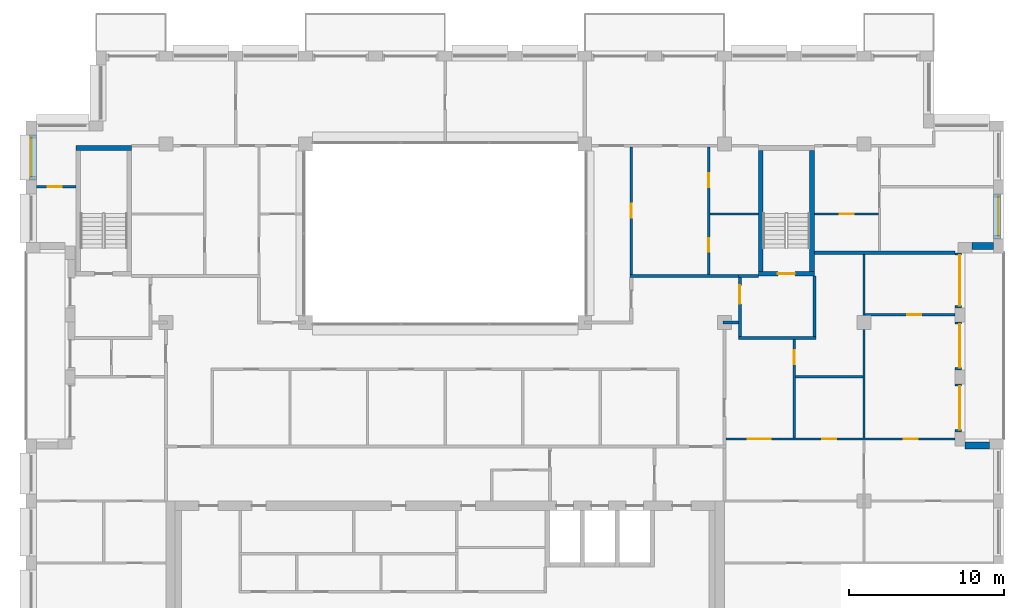
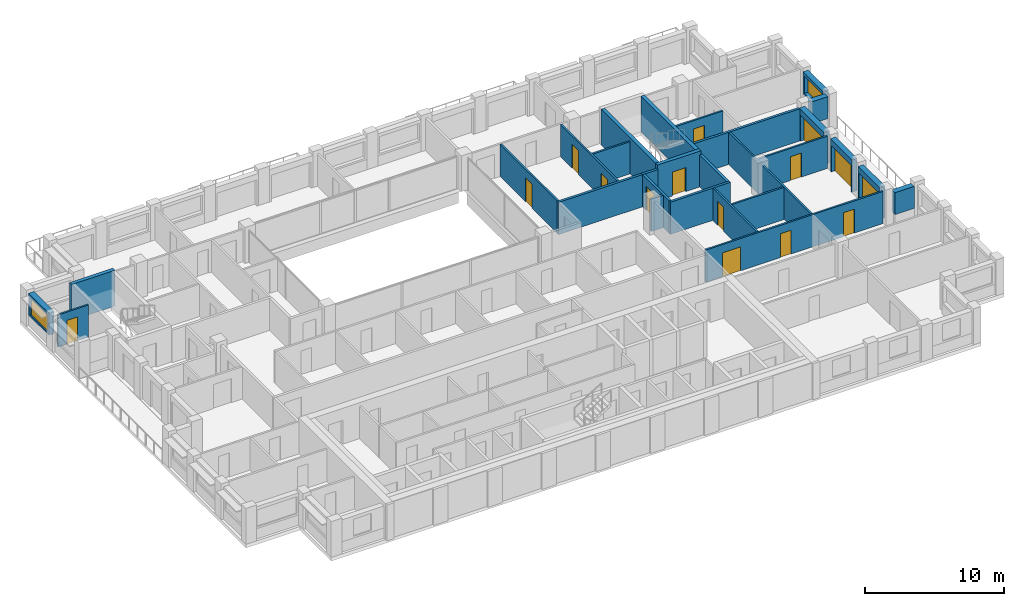
# One storey, part 12 of 15: 28 walls, 15 doors, 2 windows, 17 openings.
"""IFC4 building model written with IfcOpenShell, lengths in metres."""

from ifc_helpers import new_model, si_unit, direction, frame, frame_2d, origin, place, context, subcontext, project, spatial, rectangle, extrude, material, layer, layer_set, type_object, element, fill, save


model = new_model("IFC4")

# Units and contexts
model_context = context("Model", 3, precision=1e-05, world=origin(), true_north=direction((0.0, 1.0)))
body_context = subcontext(model_context, "Body", "Model", "MODEL_VIEW")
ifc_project = project(units=[si_unit("LENGTHUNIT", "METRE"), si_unit("AREAUNIT", "SQUARE_METRE"), si_unit("VOLUMEUNIT", "CUBIC_METRE"), si_unit("PLANEANGLEUNIT", "RADIAN"), si_unit("MASSUNIT", "GRAM", prefix="KILO")], contexts=[model_context])

# Site, building, storey
site_placement = place(None, origin())
site = spatial("IfcSite", under=ifc_project, at=site_placement, CompositionType="ELEMENT")
building_placement = place(site_placement, origin())
building = spatial("IfcBuilding", under=site, at=building_placement, Name="Brigalow Station Residences", CompositionType="ELEMENT")
storey_placement = place(building_placement, frame((0.0, 0.0, 213.75)))
storey = spatial("IfcBuildingStorey", under=building, at=storey_placement, Name="L61", CompositionType="ELEMENT", Elevation=213.75)

# Wall
ifc_material_1 = material(Name="Clay brick masonry", Category="masonry")
ifc_layer_1 = layer(ifc_material_1, 0.449951171875)
ifc_layer_set_1 = layer_set([ifc_layer_1], Name="BRICK INFILL WALL 450")
wall_type_1 = type_object("IfcWallType", Name="BRICK INFILL WALL 450", PredefinedType="SOLIDWALL", material=ifc_layer_set_1)
wall_1_placement = place(storey_placement, frame((71.10009765625, 16.074951171875, 0.89990234375), z_axis=(0.0, 0.0, 1.0), x_axis=(-1.0, 0.0, 0.0)))
element("IfcWall", 1, at=wall_1_placement, inside=storey, type_object=wall_type_1, Name="L61/ewall/W-L61-11", PredefinedType="SOLIDWALL", context=body_context, shape_type="SweptSolid", body=[
    extrude(rectangle(XDim=1.60009765625, YDim=0.449951171875, at=frame_2d((0.800048828125, 0.0))), origin(), (0.0, 0.0, 1.0), 1.93017578125),
])

# Wall, opening, door
wall_2_placement = place(storey_placement, frame((69.074951171875, 16.949951171875, 0.0), z_axis=(0.0, 0.0, 1.0), x_axis=(0.0, 1.0, 0.0)))
wall_2 = element("IfcWall", 2, at=wall_2_placement, inside=storey, type_object=wall_type_1, Name="L61/ewall/W-L61-12", PredefinedType="SOLIDWALL", context=body_context, shape_type="SweptSolid", body=[
    extrude(rectangle(XDim=3.10009765625, YDim=0.449951171875, at=frame_2d((1.550048828125, 0.0))), origin(), (0.0, 0.0, 1.0), 2.830078125),
])
opening_1_placement = place(wall_2_placement, frame((0.14990234375, 0.0, 0.0)))
opening_1 = element("IfcOpeningElement", 3, at=opening_1_placement, cuts=wall_2, Name="Opening D-B2800", PredefinedType="OPENING", context=body_context, shape_type="SweptSolid", body=[
    extrude(rectangle(XDim=2.800048828125, YDim=2.300048828125, at=frame_2d((1.39990234375, 1.14990234375))), frame((0.0, 0.23486328125, 0.0), z_axis=(0.0, -1.0, 0.0), x_axis=(1.0, 0.0, 0.0)), (0.0, 0.0, 1.0), 0.469970703125),
])
ifc_material_2 = material(Name="Anodised aluminium frame with double glazing", Category="aluminium")
door_type_1 = type_object("IfcDoorType", Name="BALCONY SLIDING DOOR 2800x2300", OperationType="SLIDING_TO_LEFT", PredefinedType="DOOR", material=ifc_material_2)
door_1_placement = place(opening_1_placement, origin())
door_1 = element("IfcDoor", 4, at=door_1_placement, inside=storey, type_object=door_type_1, Name="L61/balcony-door/W-L61-12", OperationType="SLIDING_TO_LEFT", OverallHeight=2.300048828125, OverallWidth=2.800048828125, PredefinedType="DOOR", context=body_context, shape_type="SweptSolid", body=[
    extrude(rectangle(XDim=2.800048828125, YDim=2.300048828125, at=frame_2d((1.39990234375, 1.14990234375))), frame((0.0, -0.06982421875, 0.0), z_axis=(0.0, -1.0, 0.0), x_axis=(1.0, 0.0, 0.0)), (0.0, 0.0, 1.0), 0.050048828125),
])
fill(opening_1, door_1)

wall_3_placement = place(storey_placement, frame((69.074951171875, 20.949951171875, 0.0), z_axis=(0.0, 0.0, 1.0), x_axis=(0.0, 1.0, 0.0)))
wall_3 = element("IfcWall", 5, at=wall_3_placement, inside=storey, type_object=wall_type_1, Name="L61/ewall/W-L61-13", PredefinedType="SOLIDWALL", context=body_context, shape_type="SweptSolid", body=[
    extrude(rectangle(XDim=3.10009765625, YDim=0.449951171875, at=frame_2d((1.550048828125, 0.0))), origin(), (0.0, 0.0, 1.0), 2.830078125),
])
opening_2_placement = place(wall_3_placement, frame((0.14990234375, 0.0, 0.0)))
opening_2 = element("IfcOpeningElement", 6, at=opening_2_placement, cuts=wall_3, Name="Opening D-B2800", PredefinedType="OPENING", context=body_context, shape_type="SweptSolid", body=[
    extrude(rectangle(XDim=2.800048828125, YDim=2.300048828125, at=frame_2d((1.39990234375, 1.14990234375))), frame((0.0, 0.23486328125, 0.0), z_axis=(0.0, -1.0, 0.0), x_axis=(1.0, 0.0, 0.0)), (0.0, 0.0, 1.0), 0.469970703125),
])
door_2_placement = place(opening_2_placement, origin())
door_2 = element("IfcDoor", 7, at=door_2_placement, inside=storey, type_object=door_type_1, Name="L61/balcony-door/W-L61-13", OperationType="SLIDING_TO_LEFT", OverallHeight=2.300048828125, OverallWidth=2.800048828125, PredefinedType="DOOR", context=body_context, shape_type="SweptSolid", body=[
    extrude(rectangle(XDim=2.800048828125, YDim=2.300048828125, at=frame_2d((1.39990234375, 1.14990234375))), frame((0.0, -0.06982421875, 0.0), z_axis=(0.0, -1.0, 0.0), x_axis=(1.0, 0.0, 0.0)), (0.0, 0.0, 1.0), 0.050048828125),
])
fill(opening_2, door_2)

wall_4_placement = place(storey_placement, frame((69.074951171875, 24.949951171875, 0.0), z_axis=(0.0, 0.0, 1.0), x_axis=(0.0, 1.0, 0.0)))
wall_4 = element("IfcWall", 8, at=wall_4_placement, inside=storey, type_object=wall_type_1, Name="L61/ewall/W-L61-14", PredefinedType="SOLIDWALL", context=body_context, shape_type="SweptSolid", body=[
    extrude(rectangle(XDim=3.550048828125, YDim=0.449951171875, at=frame_2d((1.77490234375, 0.0))), origin(), (0.0, 0.0, 1.0), 2.830078125),
])
opening_3_placement = place(wall_4_placement, frame((0.14990234375, 0.0, 0.0)))
opening_3 = element("IfcOpeningElement", 9, at=opening_3_placement, cuts=wall_4, Name="Opening D-B3250", PredefinedType="OPENING", context=body_context, shape_type="SweptSolid", body=[
    extrude(rectangle(XDim=3.25, YDim=2.300048828125, at=frame_2d((1.625, 1.14990234375))), frame((0.0, 0.23486328125, 0.0), z_axis=(0.0, -1.0, 0.0), x_axis=(1.0, 0.0, 0.0)), (0.0, 0.0, 1.0), 0.469970703125),
])
ifc_material_3 = material(Name="Anodised aluminium frame with double glazing", Category="aluminium")
door_type_2 = type_object("IfcDoorType", Name="BALCONY SLIDING DOOR 3250x2300", OperationType="SLIDING_TO_LEFT", PredefinedType="DOOR", material=ifc_material_3)
door_3_placement = place(opening_3_placement, origin())
door_3 = element("IfcDoor", 10, at=door_3_placement, inside=storey, type_object=door_type_2, Name="L61/balcony-door/W-L61-14", OperationType="SLIDING_TO_LEFT", OverallHeight=2.300048828125, OverallWidth=3.25, PredefinedType="DOOR", context=body_context, shape_type="SweptSolid", body=[
    extrude(rectangle(XDim=3.25, YDim=2.300048828125, at=frame_2d((1.625, 1.14990234375))), frame((0.0, -0.06982421875, 0.0), z_axis=(0.0, -1.0, 0.0), x_axis=(1.0, 0.0, 0.0)), (0.0, 0.0, 1.0), 0.050048828125),
])
fill(opening_3, door_3)

# Wall
wall_5_placement = place(storey_placement, frame((69.949951171875, 28.925048828125, 0.89990234375), z_axis=(0.0, 0.0, 1.0), x_axis=(1.0, 0.0, 0.0)))
element("IfcWall", 11, at=wall_5_placement, inside=storey, type_object=wall_type_1, Name="L61/ewall/W-L61-15", PredefinedType="SOLIDWALL", context=body_context, shape_type="SweptSolid", body=[
    extrude(rectangle(XDim=1.400146484375, YDim=0.449951171875, at=frame_2d((0.7001953125, 0.0))), origin(), (0.0, 0.0, 1.0), 1.93017578125),
])

# Wall, opening, window
wall_6_placement = place(storey_placement, frame((71.574951171875, 29.39990234375, 0.89990234375), z_axis=(0.0, 0.0, 1.0), x_axis=(0.0, 1.0, 0.0)))
wall_6 = element("IfcWall", 12, at=wall_6_placement, inside=storey, type_object=wall_type_1, Name="L61/ewall/W-L61-16", PredefinedType="SOLIDWALL", context=body_context, shape_type="SweptSolid", body=[
    extrude(rectangle(XDim=2.900146484375, YDim=0.449951171875, at=frame_2d((1.4501953125, 0.0))), origin(), (0.0, 0.0, 1.0), 1.93017578125),
])
opening_4_placement = place(wall_6_placement, frame((0.199951171875, 0.0, 0.14990234375)))
opening_4 = element("IfcOpeningElement", 13, at=opening_4_placement, cuts=wall_6, Name="Opening WT-5", PredefinedType="OPENING", context=body_context, shape_type="SweptSolid", body=[
    extrude(rectangle(XDim=2.5, YDim=1.5, at=frame_2d((1.25, 0.75))), frame((0.0, 0.23486328125, 0.0), z_axis=(0.0, -1.0, 0.0), x_axis=(1.0, 0.0, 0.0)), (0.0, 0.0, 1.0), 0.469970703125),
])
ifc_material_4 = material(Name="Anodised aluminium frame with double glazing", Category="aluminium")
window_type = type_object("IfcWindowType", Name="WINDOW 2500x1500", PartitioningType="SINGLE_PANEL", PredefinedType="WINDOW", material=ifc_material_4)
window_1_placement = place(opening_4_placement, origin())
window_1 = element("IfcWindow", 14, at=window_1_placement, inside=storey, type_object=window_type, Name="L61/window/W-L61-16", OverallHeight=1.5, OverallWidth=2.5, PartitioningType="SINGLE_PANEL", PredefinedType="WINDOW", context=body_context, shape_type="SweptSolid", body=[
    extrude(rectangle(XDim=2.5, YDim=1.5, at=frame_2d((1.25, 0.75))), frame((0.0, -0.06494140625, 0.0), z_axis=(0.0, -1.0, 0.0), x_axis=(1.0, 0.0, 0.0)), (0.0, 0.0, 1.0), 0.06005859375),
])
fill(opening_4, window_1)

wall_7_placement = place(storey_placement, frame((9.425048828125, 36.10009765625, 0.89990234375), z_axis=(0.0, 0.0, 1.0), x_axis=(0.0, -1.0, 0.0)))
wall_7 = element("IfcWall", 15, at=wall_7_placement, inside=storey, type_object=wall_type_1, Name="L61/ewall/W-L61-34", PredefinedType="SOLIDWALL", context=body_context, shape_type="SweptSolid", body=[
    extrude(rectangle(XDim=2.900146484375, YDim=0.449951171875, at=frame_2d((1.4501953125, 0.0))), origin(), (0.0, 0.0, 1.0), 1.93017578125),
])
opening_5_placement = place(wall_7_placement, frame((0.199951171875, 0.0, 0.14990234375)))
opening_5 = element("IfcOpeningElement", 16, at=opening_5_placement, cuts=wall_7, Name="Opening WT-5", PredefinedType="OPENING", context=body_context, shape_type="SweptSolid", body=[
    extrude(rectangle(XDim=2.5, YDim=1.5, at=frame_2d((1.25, 0.75))), frame((0.0, 0.23486328125, 0.0), z_axis=(0.0, -1.0, 0.0), x_axis=(1.0, 0.0, 0.0)), (0.0, 0.0, 1.0), 0.469970703125),
])
window_2_placement = place(opening_5_placement, origin())
window_2 = element("IfcWindow", 17, at=window_2_placement, inside=storey, type_object=window_type, Name="L61/window/W-L61-34", OverallHeight=1.5, OverallWidth=2.5, PartitioningType="SINGLE_PANEL", PredefinedType="WINDOW", context=body_context, shape_type="SweptSolid", body=[
    extrude(rectangle(XDim=2.5, YDim=1.5, at=frame_2d((1.25, 0.75))), frame((0.0, -0.06494140625, 0.0), z_axis=(0.0, -1.0, 0.0), x_axis=(1.0, 0.0, 0.0)), (0.0, 0.0, 1.0), 0.06005859375),
])
fill(opening_5, window_2)

# Wall
ifc_material_5 = material(Name="Concrete C50", Category="concrete")
ifc_layer_2 = layer(ifc_material_5, 0.300048828125)
ifc_layer_set_2 = layer_set([ifc_layer_2], Name="CORE SHEAR WALL 300 C50")
wall_type_2 = type_object("IfcWallType", Name="CORE SHEAR WALL 300 C50", PredefinedType="SHEAR", material=ifc_layer_set_2)
wall_8_placement = place(storey_placement, frame((12.199951171875, 35.25, 0.0), z_axis=(0.0, 0.0, 1.0), x_axis=(1.0, 0.0, 0.0)))
element("IfcWall", 18, at=wall_8_placement, inside=storey, type_object=wall_type_2, Name="CORE WALL ST-S1-N L61", PredefinedType="SHEAR", context=body_context, shape_type="SweptSolid", body=[
    extrude(rectangle(XDim=3.60009765625, YDim=0.300048828125, at=frame_2d((1.800048828125, 0.0))), origin(), (0.0, 0.0, 1.0), 3.14990234375),
])

# Wall, opening, door
wall_9_placement = place(storey_placement, frame((56.199951171875, 27.14990234375, 0.0), z_axis=(0.0, 0.0, 1.0), x_axis=(1.0, 0.0, 0.0)))
wall_9 = element("IfcWall", 19, at=wall_9_placement, inside=storey, type_object=wall_type_2, Name="CORE WALL ST-S3-S L61", PredefinedType="SHEAR", context=body_context, shape_type="SweptSolid", body=[
    extrude(rectangle(XDim=3.60009765625, YDim=0.300048828125, at=frame_2d((1.800048828125, 0.0))), origin(), (0.0, 0.0, 1.0), 3.14990234375),
])
opening_6_placement = place(wall_9_placement, frame((1.25, 0.0, 0.0)))
opening_6 = element("IfcOpeningElement", 20, at=opening_6_placement, cuts=wall_9, Name="Opening D-5018", PredefinedType="OPENING", context=body_context, shape_type="SweptSolid", body=[
    extrude(rectangle(XDim=1.10009765625, YDim=2.10009765625, at=frame_2d((0.550048828125, 1.050048828125))), frame((0.0, 0.16015625, 0.0), z_axis=(0.0, -1.0, 0.0), x_axis=(1.0, 0.0, 0.0)), (0.0, 0.0, 1.0), 0.320068359375),
])
ifc_material_6 = material(Name="Steel fire door leaf in steel frame", Category="steel")
door_type_3 = type_object("IfcDoorType", Name="STAIR DOOR 1100 x 2100 FD60S", OperationType="SINGLE_SWING_LEFT", PredefinedType="DOOR", material=ifc_material_6)
door_4_placement = place(opening_6_placement, origin())
door_4 = element("IfcDoor", 21, at=door_4_placement, inside=storey, type_object=door_type_3, Name="D-5018", OperationType="SINGLE_SWING_LEFT", OverallHeight=2.10009765625, OverallWidth=1.10009765625, PredefinedType="DOOR", context=body_context, shape_type="SweptSolid", body=[
    extrude(rectangle(XDim=1.10009765625, YDim=2.10009765625, at=frame_2d((0.550048828125, 1.050048828125))), frame((0.0, 0.02490234375, 0.0), z_axis=(0.0, -1.0, 0.0), x_axis=(1.0, 0.0, 0.0)), (0.0, 0.0, 1.0), 0.050048828125),
])
fill(opening_6, door_4)

# Walls
for number, where, z_axis, x_axis, name in (
    (22, (56.35009765625, 27.300048828125, 0.0), (0.0, 0.0, 1.0), (0.0, 1.0, 0.0), "CORE WALL ST-S3-W L61"),
    (23, (59.64990234375, 27.300048828125, 0.0), (0.0, 0.0, 1.0), (0.0, 1.0, 0.0), "CORE WALL ST-S3-E L61"),
):
    element("IfcWall", number, at=place(storey_placement, frame(where, z_axis=z_axis, x_axis=x_axis)), inside=storey, type_object=wall_type_2, Name=name, PredefinedType="SHEAR", context=body_context, shape_type="SweptSolid", body=[
        extrude(rectangle(XDim=7.800048828125, YDim=0.300048828125, at=frame_2d((3.89990234375, 0.0))), origin(), (0.0, 0.0, 1.0), 3.14990234375),
    ])
ifc_material_7 = material(Name="Concrete blockwork", Category="masonry")
ifc_layer_3 = layer(ifc_material_7, 0.199951171875)
ifc_layer_set_3 = layer_set([ifc_layer_3], Name="FIRE RATED CORE PARTITION 200")
wall_type_3 = type_object("IfcWallType", Name="FIRE RATED CORE PARTITION 200", PredefinedType="PARTITIONING", material=ifc_layer_set_3)
wall_10_placement = place(storey_placement, frame((54.89990234375, 23.0, 0.0), z_axis=(0.0, 0.0, 1.0), x_axis=(1.0, 0.0, 0.0)))
element("IfcWall", 24, at=wall_10_placement, inside=storey, type_object=wall_type_3, Name="PW-5024", PredefinedType="PARTITIONING", context=body_context, shape_type="SweptSolid", body=[
    extrude(rectangle(XDim=5.0, YDim=0.199951171875, at=frame_2d((2.5, 0.0))), origin(), (0.0, 0.0, 1.0), 2.830078125),
])
wall_11_placement = place(storey_placement, frame((54.89990234375, 27.0, 0.0), z_axis=(0.0, 0.0, 1.0), x_axis=(1.0, 0.0, 0.0)))
element("IfcWall", 25, at=wall_11_placement, inside=storey, type_object=wall_type_3, Name="PW-5026", PredefinedType="PARTITIONING", context=body_context, shape_type="SweptSolid", body=[
    extrude(rectangle(XDim=1.300048828125, YDim=0.199951171875, at=frame_2d((0.64990234375, 0.0))), origin(), (0.0, 0.0, 1.0), 2.830078125),
])

# Wall, opening, door
wall_12_placement = place(storey_placement, frame((55.0, 23.10009765625, 0.0), z_axis=(0.0, 0.0, 1.0), x_axis=(0.0, 1.0, 0.0)))
wall_12 = element("IfcWall", 26, at=wall_12_placement, inside=storey, type_object=wall_type_3, Name="PW-5036", PredefinedType="PARTITIONING", context=body_context, shape_type="SweptSolid", body=[
    extrude(rectangle(XDim=3.7998046875, YDim=0.199951171875, at=frame_2d((1.89990234375, 0.0))), origin(), (0.0, 0.0, 1.0), 2.830078125),
])
opening_7_placement = place(wall_12_placement, frame((2.10009765625, 0.0, 0.0)))
opening_7 = element("IfcOpeningElement", 27, at=opening_7_placement, cuts=wall_12, Name="Opening D-5019", PredefinedType="OPENING", context=body_context, shape_type="SweptSolid", body=[
    extrude(rectangle(XDim=1.199951171875, YDim=2.10009765625, at=frame_2d((0.60009765625, 1.050048828125))), frame((0.0, 0.10986328125, 0.0), z_axis=(0.0, -1.0, 0.0), x_axis=(1.0, 0.0, 0.0)), (0.0, 0.0, 1.0), 0.219970703125),
])
ifc_material_8 = material(Name="Steel fire door leaf in steel frame", Category="steel")
door_type_4 = type_object("IfcDoorType", Name="STAIR LOBBY DOOR 1200 x 2100 FD60S", OperationType="SINGLE_SWING_LEFT", PredefinedType="DOOR", material=ifc_material_8)
door_5_placement = place(opening_7_placement, frame((1.199951171875, 0.0, 0.0), z_axis=(0.0, 0.0, 1.0), x_axis=(-1.0, 0.0, 0.0)))
door_5 = element("IfcDoor", 28, at=door_5_placement, inside=storey, type_object=door_type_4, Name="D-5019", OperationType="SINGLE_SWING_LEFT", OverallHeight=2.10009765625, OverallWidth=1.199951171875, PredefinedType="DOOR", context=body_context, shape_type="SweptSolid", body=[
    extrude(rectangle(XDim=1.199951171875, YDim=2.10009765625, at=frame_2d((0.60009765625, 1.050048828125))), frame((0.0, 0.02490234375, 0.0), z_axis=(0.0, -1.0, 0.0), x_axis=(1.0, 0.0, 0.0)), (0.0, 0.0, 1.0), 0.050048828125),
])
fill(opening_7, door_5)

# Walls
wall_13_placement = place(storey_placement, frame((59.800048828125, 23.10009765625, 0.0), z_axis=(0.0, 0.0, 1.0), x_axis=(0.0, 1.0, 0.0)))
element("IfcWall", 29, at=wall_13_placement, inside=storey, type_object=wall_type_3, Name="PW-5037", PredefinedType="PARTITIONING", context=body_context, shape_type="SweptSolid", body=[
    extrude(rectangle(XDim=3.89990234375, YDim=0.199951171875, at=frame_2d((1.949951171875, 0.0))), origin(), (0.0, 0.0, 1.0), 2.830078125),
])
ifc_material_9 = material(Name="Plasterboard on steel stud partition", Category="steel")
ifc_layer_4 = layer(ifc_material_9, 0.14990234375)
ifc_layer_set_4 = layer_set([ifc_layer_4], Name="FLAT PARTITION 150")
wall_type_4 = type_object("IfcWallType", Name="FLAT PARTITION 150", PredefinedType="PARTITIONING", material=ifc_layer_set_4)
wall_14_placement = place(storey_placement, frame((58.574951171875, 20.5, 0.0), z_axis=(0.0, 0.0, 1.0), x_axis=(1.0, 0.0, 0.0)))
element("IfcWall", 30, at=wall_14_placement, inside=storey, type_object=wall_type_4, Name="PW-4B09", PredefinedType="PARTITIONING", context=body_context, shape_type="SweptSolid", body=[
    extrude(rectangle(XDim=4.35009765625, YDim=0.14990234375, at=frame_2d((2.175048828125, 0.0))), origin(), (0.0, 0.0, 1.0), 2.830078125),
])
wall_15_placement = place(storey_placement, frame((53.074951171875, 31.0, 0.0), z_axis=(0.0, 0.0, 1.0), x_axis=(1.0, 0.0, 0.0)))
element("IfcWall", 31, at=wall_15_placement, inside=storey, type_object=wall_type_4, Name="PW-4B17", PredefinedType="PARTITIONING", context=body_context, shape_type="SweptSolid", body=[
    extrude(rectangle(XDim=3.125, YDim=0.14990234375, at=frame_2d((1.5625, 0.0))), origin(), (0.0, 0.0, 1.0), 2.830078125),
])

# Wall, opening, door
wall_16_placement = place(storey_placement, frame((59.800048828125, 31.0, 0.0), z_axis=(0.0, 0.0, 1.0), x_axis=(1.0, 0.0, 0.0)))
wall_16 = element("IfcWall", 32, at=wall_16_placement, inside=storey, type_object=wall_type_4, Name="PW-4B18", PredefinedType="PARTITIONING", context=body_context, shape_type="SweptSolid", body=[
    extrude(rectangle(XDim=4.125, YDim=0.14990234375, at=frame_2d((2.0625, 0.0))), origin(), (0.0, 0.0, 1.0), 2.830078125),
])
opening_8_placement = place(wall_16_placement, frame((1.64990234375, 0.0, 0.0)))
opening_8 = element("IfcOpeningElement", 33, at=opening_8_placement, cuts=wall_16, Name="Opening D-4B30", PredefinedType="OPENING", context=body_context, shape_type="SweptSolid", body=[
    extrude(rectangle(XDim=0.89990234375, YDim=2.10009765625, at=frame_2d((0.449951171875, 1.050048828125))), frame((0.0, 0.0849609375, 0.0), z_axis=(0.0, -1.0, 0.0), x_axis=(1.0, 0.0, 0.0)), (0.0, 0.0, 1.0), 0.169921875),
])
ifc_material_10 = material(Name="Solid-core timber door leaf", Category="wood")
door_type_5 = type_object("IfcDoorType", Name="INTERNAL DOOR 900 x 2100", OperationType="SINGLE_SWING_LEFT", PredefinedType="DOOR", material=ifc_material_10)
door_6_placement = place(opening_8_placement, frame((0.89990234375, 0.0, 0.0), z_axis=(0.0, 0.0, 1.0), x_axis=(-1.0, 0.0, 0.0)))
door_6 = element("IfcDoor", 34, at=door_6_placement, inside=storey, type_object=door_type_5, Name="D-4B30", OperationType="SINGLE_SWING_LEFT", OverallHeight=2.10009765625, OverallWidth=0.89990234375, PredefinedType="DOOR", context=body_context, shape_type="SweptSolid", body=[
    extrude(rectangle(XDim=0.89990234375, YDim=2.10009765625, at=frame_2d((0.449951171875, 1.050048828125))), frame((0.0, 0.02490234375, 0.0), z_axis=(0.0, -1.0, 0.0), x_axis=(1.0, 0.0, 0.0)), (0.0, 0.0, 1.0), 0.050048828125),
])
fill(opening_8, door_6)

wall_17_placement = place(storey_placement, frame((9.64990234375, 32.75, 0.0), z_axis=(0.0, 0.0, 1.0), x_axis=(1.0, 0.0, 0.0)))
wall_17 = element("IfcWall", 35, at=wall_17_placement, inside=storey, type_object=wall_type_4, Name="PW-4B22", PredefinedType="PARTITIONING", context=body_context, shape_type="SweptSolid", body=[
    extrude(rectangle(XDim=2.550048828125, YDim=0.14990234375, at=frame_2d((1.27490234375, 0.0))), origin(), (0.0, 0.0, 1.0), 2.830078125),
])
opening_9_placement = place(wall_17_placement, frame((0.75, 0.0, 0.0)))
opening_9 = element("IfcOpeningElement", 36, at=opening_9_placement, cuts=wall_17, Name="Opening D-4B17", PredefinedType="OPENING", context=body_context, shape_type="SweptSolid", body=[
    extrude(rectangle(XDim=0.89990234375, YDim=2.10009765625, at=frame_2d((0.449951171875, 1.050048828125))), frame((0.0, 0.0849609375, 0.0), z_axis=(0.0, -1.0, 0.0), x_axis=(1.0, 0.0, 0.0)), (0.0, 0.0, 1.0), 0.169921875),
])
door_7_placement = place(opening_9_placement, frame((0.89990234375, 0.0, 0.0), z_axis=(0.0, 0.0, 1.0), x_axis=(-1.0, 0.0, 0.0)))
door_7 = element("IfcDoor", 37, at=door_7_placement, inside=storey, type_object=door_type_5, Name="D-4B17", OperationType="SINGLE_SWING_RIGHT", OverallHeight=2.10009765625, OverallWidth=0.89990234375, PredefinedType="DOOR", context=body_context, shape_type="SweptSolid", body=[
    extrude(rectangle(XDim=0.89990234375, YDim=2.10009765625, at=frame_2d((0.449951171875, 1.050048828125))), frame((0.0, 0.02490234375, 0.0), z_axis=(0.0, -1.0, 0.0), x_axis=(1.0, 0.0, 0.0)), (0.0, 0.0, 1.0), 0.050048828125),
])
fill(opening_9, door_7)

# Wall, openings, doors
wall_18_placement = place(storey_placement, frame((54.10009765625, 16.5, 0.0), z_axis=(0.0, 0.0, 1.0), x_axis=(1.0, 0.0, 0.0)))
wall_18 = element("IfcWall", 38, at=wall_18_placement, inside=storey, type_object=wall_type_4, Name="PW-4B25", PredefinedType="PARTITIONING", context=body_context, shape_type="SweptSolid", body=[
    extrude(rectangle(XDim=14.75, YDim=0.14990234375, at=frame_2d((7.375, 0.0))), origin(), (0.0, 0.0, 1.0), 2.830078125),
])
opening_10_placement = place(wall_18_placement, frame((1.39990234375, 0.0, 0.0)))
opening_10 = element("IfcOpeningElement", 39, at=opening_10_placement, cuts=wall_18, Name="Opening D-4B32", PredefinedType="OPENING", context=body_context, shape_type="SweptSolid", body=[
    extrude(rectangle(XDim=1.5, YDim=2.10009765625, at=frame_2d((0.75, 1.050048828125))), frame((0.0, 0.0849609375, 0.0), z_axis=(0.0, -1.0, 0.0), x_axis=(1.0, 0.0, 0.0)), (0.0, 0.0, 1.0), 0.169921875),
])
opening_11_placement = place(wall_18_placement, frame((6.199951171875, 0.0, 0.0)))
opening_11 = element("IfcOpeningElement", 40, at=opening_11_placement, cuts=wall_18, Name="Opening D-4B39", PredefinedType="OPENING", context=body_context, shape_type="SweptSolid", body=[
    extrude(rectangle(XDim=0.89990234375, YDim=2.10009765625, at=frame_2d((0.449951171875, 1.050048828125))), frame((0.0, 0.0849609375, 0.0), z_axis=(0.0, -1.0, 0.0), x_axis=(1.0, 0.0, 0.0)), (0.0, 0.0, 1.0), 0.169921875),
])
opening_12_placement = place(wall_18_placement, frame((11.449951171875, 0.0, 0.0)))
opening_12 = element("IfcOpeningElement", 41, at=opening_12_placement, cuts=wall_18, Name="Opening D-4B40", PredefinedType="OPENING", context=body_context, shape_type="SweptSolid", body=[
    extrude(rectangle(XDim=0.89990234375, YDim=2.10009765625, at=frame_2d((0.449951171875, 1.050048828125))), frame((0.0, 0.0849609375, 0.0), z_axis=(0.0, -1.0, 0.0), x_axis=(1.0, 0.0, 0.0)), (0.0, 0.0, 1.0), 0.169921875),
])
door_8_placement = place(opening_11_placement, origin())
door_8 = element("IfcDoor", 42, at=door_8_placement, inside=storey, type_object=door_type_5, Name="D-4B39", OperationType="SINGLE_SWING_RIGHT", OverallHeight=2.10009765625, OverallWidth=0.89990234375, PredefinedType="DOOR", context=body_context, shape_type="SweptSolid", body=[
    extrude(rectangle(XDim=0.89990234375, YDim=2.10009765625, at=frame_2d((0.449951171875, 1.050048828125))), frame((0.0, 0.02490234375, 0.0), z_axis=(0.0, -1.0, 0.0), x_axis=(1.0, 0.0, 0.0)), (0.0, 0.0, 1.0), 0.050048828125),
])
fill(opening_11, door_8)
door_9_placement = place(opening_12_placement, frame((0.89990234375, 0.0, 0.0), z_axis=(0.0, 0.0, 1.0), x_axis=(-1.0, 0.0, 0.0)))
door_9 = element("IfcDoor", 43, at=door_9_placement, inside=storey, type_object=door_type_5, Name="D-4B40", OperationType="SINGLE_SWING_LEFT", OverallHeight=2.10009765625, OverallWidth=0.89990234375, PredefinedType="DOOR", context=body_context, shape_type="SweptSolid", body=[
    extrude(rectangle(XDim=0.89990234375, YDim=2.10009765625, at=frame_2d((0.449951171875, 1.050048828125))), frame((0.0, 0.02490234375, 0.0), z_axis=(0.0, -1.0, 0.0), x_axis=(1.0, 0.0, 0.0)), (0.0, 0.0, 1.0), 0.050048828125),
])
fill(opening_12, door_9)
ifc_material_11 = material(Name="Solid-core timber door leaf", Category="wood")
door_type_6 = type_object("IfcDoorType", Name="INTERNAL DOUBLE DOOR 1500 x 2100", OperationType="DOUBLE_DOOR_SINGLE_SWING", PredefinedType="DOOR", material=ifc_material_11)
door_10_placement = place(opening_10_placement, origin())
door_10 = element("IfcDoor", 44, at=door_10_placement, inside=storey, type_object=door_type_6, Name="D-4B32", OperationType="DOUBLE_DOOR_SINGLE_SWING", OverallHeight=2.10009765625, OverallWidth=1.5, PredefinedType="DOOR", context=body_context, shape_type="SweptSolid", body=[
    extrude(rectangle(XDim=1.5, YDim=2.10009765625, at=frame_2d((0.75, 1.050048828125))), frame((0.0, 0.02490234375, 0.0), z_axis=(0.0, -1.0, 0.0), x_axis=(1.0, 0.0, 0.0)), (0.0, 0.0, 1.0), 0.050048828125),
])
fill(opening_10, door_10)

# Wall, opening, door
wall_19_placement = place(storey_placement, frame((63.074951171875, 24.5, 0.0), z_axis=(0.0, 0.0, 1.0), x_axis=(1.0, 0.0, 0.0)))
wall_19 = element("IfcWall", 45, at=wall_19_placement, inside=storey, type_object=wall_type_4, Name="PW-4B26", PredefinedType="PARTITIONING", context=body_context, shape_type="SweptSolid", body=[
    extrude(rectangle(XDim=5.775146484375, YDim=0.14990234375, at=frame_2d((2.8876953125, 0.0))), origin(), (0.0, 0.0, 1.0), 2.830078125),
])
opening_13_placement = place(wall_19_placement, frame((2.699951171875, 0.0, 0.0)))
opening_13 = element("IfcOpeningElement", 46, at=opening_13_placement, cuts=wall_19, Name="Opening D-4B41", PredefinedType="OPENING", context=body_context, shape_type="SweptSolid", body=[
    extrude(rectangle(XDim=0.89990234375, YDim=2.10009765625, at=frame_2d((0.449951171875, 1.050048828125))), frame((0.0, 0.0849609375, 0.0), z_axis=(0.0, -1.0, 0.0), x_axis=(1.0, 0.0, 0.0)), (0.0, 0.0, 1.0), 0.169921875),
])
door_11_placement = place(opening_13_placement, origin())
door_11 = element("IfcDoor", 47, at=door_11_placement, inside=storey, type_object=door_type_5, Name="D-4B41", OperationType="SINGLE_SWING_RIGHT", OverallHeight=2.10009765625, OverallWidth=0.89990234375, PredefinedType="DOOR", context=body_context, shape_type="SweptSolid", body=[
    extrude(rectangle(XDim=0.89990234375, YDim=2.10009765625, at=frame_2d((0.449951171875, 1.050048828125))), frame((0.0, 0.02490234375, 0.0), z_axis=(0.0, -1.0, 0.0), x_axis=(1.0, 0.0, 0.0)), (0.0, 0.0, 1.0), 0.050048828125),
])
fill(opening_13, door_11)

wall_20_placement = place(storey_placement, frame((48.0, 27.10009765625, 0.0), z_axis=(0.0, 0.0, 1.0), x_axis=(0.0, 1.0, 0.0)))
wall_20 = element("IfcWall", 48, at=wall_20_placement, inside=storey, type_object=wall_type_4, Name="PW-4B35", PredefinedType="PARTITIONING", context=body_context, shape_type="SweptSolid", body=[
    extrude(rectangle(XDim=8.224853515625, YDim=0.14990234375, at=frame_2d((4.1123046875, 0.0))), origin(), (0.0, 0.0, 1.0), 2.830078125),
])
opening_14_placement = place(wall_20_placement, frame((3.64990234375, 0.0, 0.0)))
opening_14 = element("IfcOpeningElement", 49, at=opening_14_placement, cuts=wall_20, Name="Opening D-4B21", PredefinedType="OPENING", context=body_context, shape_type="SweptSolid", body=[
    extrude(rectangle(XDim=0.89990234375, YDim=2.10009765625, at=frame_2d((0.449951171875, 1.050048828125))), frame((0.0, 0.0849609375, 0.0), z_axis=(0.0, -1.0, 0.0), x_axis=(1.0, 0.0, 0.0)), (0.0, 0.0, 1.0), 0.169921875),
])
door_12_placement = place(opening_14_placement, origin())
door_12 = element("IfcDoor", 50, at=door_12_placement, inside=storey, type_object=door_type_5, Name="D-4B21", OperationType="SINGLE_SWING_RIGHT", OverallHeight=2.10009765625, OverallWidth=0.89990234375, PredefinedType="DOOR", context=body_context, shape_type="SweptSolid", body=[
    extrude(rectangle(XDim=0.89990234375, YDim=2.10009765625, at=frame_2d((0.449951171875, 1.050048828125))), frame((0.0, 0.02490234375, 0.0), z_axis=(0.0, -1.0, 0.0), x_axis=(1.0, 0.0, 0.0)), (0.0, 0.0, 1.0), 0.050048828125),
])
fill(opening_14, door_12)

# Wall, openings, doors
wall_21_placement = place(storey_placement, frame((53.0, 27.10009765625, 0.0), z_axis=(0.0, 0.0, 1.0), x_axis=(0.0, 1.0, 0.0)))
wall_21 = element("IfcWall", 51, at=wall_21_placement, inside=storey, type_object=wall_type_4, Name="PW-4B44", PredefinedType="PARTITIONING", context=body_context, shape_type="SweptSolid", body=[
    extrude(rectangle(XDim=8.224853515625, YDim=0.14990234375, at=frame_2d((4.1123046875, 0.0))), origin(), (0.0, 0.0, 1.0), 2.830078125),
])
opening_15_placement = place(wall_21_placement, frame((1.449951171875, 0.0, 0.0)))
opening_15 = element("IfcOpeningElement", 52, at=opening_15_placement, cuts=wall_21, Name="Opening D-4B24", PredefinedType="OPENING", context=body_context, shape_type="SweptSolid", body=[
    extrude(rectangle(XDim=0.89990234375, YDim=2.10009765625, at=frame_2d((0.449951171875, 1.050048828125))), frame((0.0, 0.0849609375, 0.0), z_axis=(0.0, -1.0, 0.0), x_axis=(1.0, 0.0, 0.0)), (0.0, 0.0, 1.0), 0.169921875),
])
opening_16_placement = place(wall_21_placement, frame((5.625, 0.0, 0.0)))
opening_16 = element("IfcOpeningElement", 53, at=opening_16_placement, cuts=wall_21, Name="Opening D-4B25", PredefinedType="OPENING", context=body_context, shape_type="SweptSolid", body=[
    extrude(rectangle(XDim=0.89990234375, YDim=2.10009765625, at=frame_2d((0.449951171875, 1.050048828125))), frame((0.0, 0.0849609375, 0.0), z_axis=(0.0, -1.0, 0.0), x_axis=(1.0, 0.0, 0.0)), (0.0, 0.0, 1.0), 0.169921875),
])
door_13_placement = place(opening_15_placement, frame((0.89990234375, 0.0, 0.0), z_axis=(0.0, 0.0, 1.0), x_axis=(-1.0, 0.0, 0.0)))
door_13 = element("IfcDoor", 54, at=door_13_placement, inside=storey, type_object=door_type_5, Name="D-4B24", OperationType="SINGLE_SWING_RIGHT", OverallHeight=2.10009765625, OverallWidth=0.89990234375, PredefinedType="DOOR", context=body_context, shape_type="SweptSolid", body=[
    extrude(rectangle(XDim=0.89990234375, YDim=2.10009765625, at=frame_2d((0.449951171875, 1.050048828125))), frame((0.0, 0.02490234375, 0.0), z_axis=(0.0, -1.0, 0.0), x_axis=(1.0, 0.0, 0.0)), (0.0, 0.0, 1.0), 0.050048828125),
])
fill(opening_15, door_13)
door_14_placement = place(opening_16_placement, frame((0.89990234375, 0.0, 0.0), z_axis=(0.0, 0.0, 1.0), x_axis=(-1.0, 0.0, 0.0)))
door_14 = element("IfcDoor", 55, at=door_14_placement, inside=storey, type_object=door_type_5, Name="D-4B25", OperationType="SINGLE_SWING_RIGHT", OverallHeight=2.10009765625, OverallWidth=0.89990234375, PredefinedType="DOOR", context=body_context, shape_type="SweptSolid", body=[
    extrude(rectangle(XDim=0.89990234375, YDim=2.10009765625, at=frame_2d((0.449951171875, 1.050048828125))), frame((0.0, 0.02490234375, 0.0), z_axis=(0.0, -1.0, 0.0), x_axis=(1.0, 0.0, 0.0)), (0.0, 0.0, 1.0), 0.050048828125),
])
fill(opening_16, door_14)

# Wall
wall_22_placement = place(storey_placement, frame((63.0, 16.574951171875, 0.0), z_axis=(0.0, 0.0, 1.0), x_axis=(0.0, 1.0, 0.0)))
element("IfcWall", 56, at=wall_22_placement, inside=storey, type_object=wall_type_4, Name="PW-4B50", PredefinedType="PARTITIONING", context=body_context, shape_type="SweptSolid", body=[
    extrude(rectangle(XDim=11.824951171875, YDim=0.14990234375, at=frame_2d((5.91259765625, 0.0))), origin(), (0.0, 0.0, 1.0), 2.830078125),
])

# Wall, opening, door
wall_23_placement = place(storey_placement, frame((58.5, 16.574951171875, 0.0), z_axis=(0.0, 0.0, 1.0), x_axis=(0.0, 1.0, 0.0)))
wall_23 = element("IfcWall", 57, at=wall_23_placement, inside=storey, type_object=wall_type_4, Name="PW-4B51", PredefinedType="PARTITIONING", context=body_context, shape_type="SweptSolid", body=[
    extrude(rectangle(XDim=6.324951171875, YDim=0.14990234375, at=frame_2d((3.16259765625, 0.0))), origin(), (0.0, 0.0, 1.0), 2.830078125),
])
opening_17_placement = place(wall_23_placement, frame((4.75, 0.0, 0.0)))
opening_17 = element("IfcOpeningElement", 58, at=opening_17_placement, cuts=wall_23, Name="Opening D-4B33", PredefinedType="OPENING", context=body_context, shape_type="SweptSolid", body=[
    extrude(rectangle(XDim=0.89990234375, YDim=2.10009765625, at=frame_2d((0.449951171875, 1.050048828125))), frame((0.0, 0.0849609375, 0.0), z_axis=(0.0, -1.0, 0.0), x_axis=(1.0, 0.0, 0.0)), (0.0, 0.0, 1.0), 0.169921875),
])
door_15_placement = place(opening_17_placement, frame((0.89990234375, 0.0, 0.0), z_axis=(0.0, 0.0, 1.0), x_axis=(-1.0, 0.0, 0.0)))
door_15 = element("IfcDoor", 59, at=door_15_placement, inside=storey, type_object=door_type_5, Name="D-4B33", OperationType="SINGLE_SWING_LEFT", OverallHeight=2.10009765625, OverallWidth=0.89990234375, PredefinedType="DOOR", context=body_context, shape_type="SweptSolid", body=[
    extrude(rectangle(XDim=0.89990234375, YDim=2.10009765625, at=frame_2d((0.449951171875, 1.050048828125))), frame((0.0, 0.02490234375, 0.0), z_axis=(0.0, -1.0, 0.0), x_axis=(1.0, 0.0, 0.0)), (0.0, 0.0, 1.0), 0.050048828125),
])
fill(opening_17, door_15)

# Walls
ifc_material_12 = material(Name="Plasterboard on steel stud partition", Category="steel")
ifc_layer_5 = layer(ifc_material_12, 0.199951171875)
ifc_layer_set_5 = layer_set([ifc_layer_5], Name="PARTY AND CORRIDOR WALL 200")
wall_type_5 = type_object("IfcWallType", Name="PARTY AND CORRIDOR WALL 200", PredefinedType="PARTITIONING", material=ifc_layer_set_5)
wall_24_placement = place(storey_placement, frame((53.89990234375, 24.0, 0.0), z_axis=(0.0, 0.0, 1.0), x_axis=(1.0, 0.0, 0.0)))
element("IfcWall", 60, at=wall_24_placement, inside=storey, type_object=wall_type_5, Name="PW-4B04", PredefinedType="PARTITIONING", context=body_context, shape_type="SweptSolid", body=[
    extrude(rectangle(XDim=1.0, YDim=0.199951171875, at=frame_2d((0.5, 0.0))), origin(), (0.0, 0.0, 1.0), 2.830078125),
])
wall_25_placement = place(storey_placement, frame((47.925048828125, 27.0, 0.0), z_axis=(0.0, 0.0, 1.0), x_axis=(1.0, 0.0, 0.0)))
element("IfcWall", 61, at=wall_25_placement, inside=storey, type_object=wall_type_5, Name="PW-4B07", PredefinedType="PARTITIONING", context=body_context, shape_type="SweptSolid", body=[
    extrude(rectangle(XDim=6.974853515625, YDim=0.199951171875, at=frame_2d((3.4873046875, 0.0))), origin(), (0.0, 0.0, 1.0), 2.830078125),
])
wall_26_placement = place(storey_placement, frame((59.800048828125, 28.5, 0.0), z_axis=(0.0, 0.0, 1.0), x_axis=(1.0, 0.0, 0.0)))
element("IfcWall", 62, at=wall_26_placement, inside=storey, type_object=wall_type_5, Name="PW-4B24", PredefinedType="PARTITIONING", context=body_context, shape_type="SweptSolid", body=[
    extrude(rectangle(XDim=9.050048828125, YDim=0.199951171875, at=frame_2d((4.52490234375, 0.0))), origin(), (0.0, 0.0, 1.0), 2.830078125),
])

save(model, "model.ifc")
